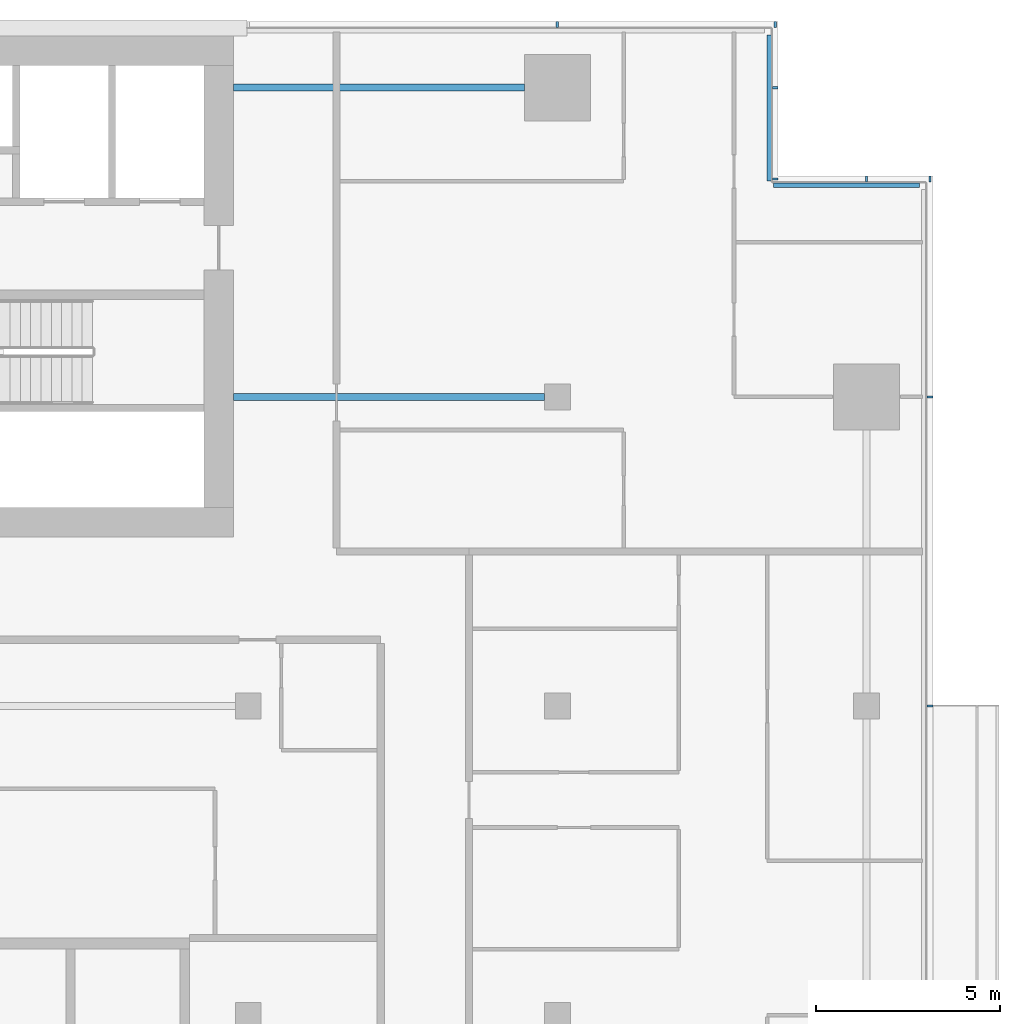
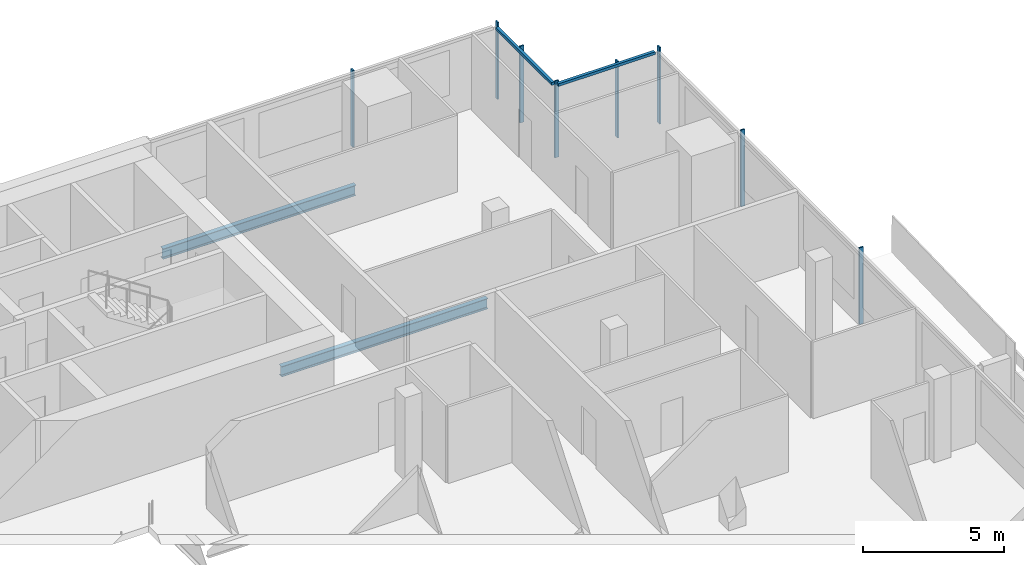
# One storey, part 13 of 27: 10 members, 2 beams, 4 elements without a shape of their own.
"""IFC4 building model written with IfcOpenShell, lengths in metres."""

from ifc_helpers import new_model, si_unit, direction, frame, origin, origin_2d, place, context, subcontext, project, spatial, rectangle, i_section, extrude, material, material_profile, profile_set, type_object, element, aggregate, save


model = new_model("IFC4")

# Units and contexts
model_context = context("Model", 3, precision=1e-05, world=origin(), true_north=direction((0.0, 1.0)))
body_context = subcontext(model_context, "Body", "Model", "MODEL_VIEW")
ifc_project = project(units=[si_unit("LENGTHUNIT", "METRE"), si_unit("AREAUNIT", "SQUARE_METRE"), si_unit("VOLUMEUNIT", "CUBIC_METRE"), si_unit("PLANEANGLEUNIT", "RADIAN"), si_unit("MASSUNIT", "GRAM", prefix="KILO")], contexts=[model_context])

# Site, building, storey
site_placement = place(None, origin())
site = spatial("IfcSite", under=ifc_project, at=site_placement, CompositionType="ELEMENT")
building_placement = place(site_placement, origin())
building = spatial("IfcBuilding", under=site, at=building_placement, Name="Saffron Gate Tower", CompositionType="ELEMENT")
storey_placement = place(building_placement, frame((0.0, 0.0, 183.449951171875)))
storey = spatial("IfcBuildingStorey", under=building, at=storey_placement, Name="L45", CompositionType="ELEMENT", Elevation=183.449951171875)

# Beams
ifc_material_1 = material(Name="Structural steel S355", Category="steel")
ifc_material_profile_1 = material_profile(ifc_material_1, i_section(OverallWidth=0.18994140625, OverallDepth=0.449951171875, WebThickness=0.009521484375, FlangeThickness=0.0146484375, FilletRadius=0.02099609375, at=origin_2d()))
ifc_profile_set_1 = profile_set([ifc_material_profile_1], Name="Structural steel S355")
beam_type = type_object("IfcBeamType", Name="B6 IPE 450", PredefinedType="BEAM", material=ifc_profile_set_1)
beam_1_placement = place(storey_placement, frame((116.64990234375, 65.39990234375, -0.5048828125), z_axis=(-1.0, 0.0, 0.0), x_axis=(0.0, -1.0, 0.0)))
element("IfcBeam", 1, at=beam_1_placement, inside=storey, type_object=beam_type, Name="B6 CORE TIE BEAM", PredefinedType="BEAM", context=body_context, shape_type="SweptSolid", body=[
    extrude(i_section(OverallWidth=0.18994140625, OverallDepth=0.449951171875, WebThickness=0.009521484375, FlangeThickness=0.0146484375, FilletRadius=0.02099609375, at=origin_2d()), origin(), (0.0, 0.0, 1.0), 8.449951171875),
])
beam_2_placement = place(storey_placement, frame((116.10009765625, 73.800048828125, -0.5048828125), z_axis=(-1.0, 0.0, 0.0), x_axis=(0.0, -1.0, 0.0)))
element("IfcBeam", 2, at=beam_2_placement, inside=storey, type_object=beam_type, Name="B6 CORE TIE BEAM", PredefinedType="BEAM", context=body_context, shape_type="SweptSolid", body=[
    extrude(i_section(OverallWidth=0.18994140625, OverallDepth=0.449951171875, WebThickness=0.009521484375, FlangeThickness=0.0146484375, FilletRadius=0.02099609375, at=origin_2d()), origin(), (0.0, 0.0, 1.0), 7.900146484375),
])

# Curtain wall, members
ifc_material_2 = material(Name="Aluminium, bronze anodised", Category="aluminium")
curtain_wall_type_1 = type_object("IfcCurtainWallType", Name="CWS2 curtain wall side facades", PredefinedType="NOTDEFINED", material=ifc_material_2)
curtain_wall_1_placement = place(storey_placement, origin())
curtain_wall_1 = element("IfcCurtainWall", 3, at=curtain_wall_1_placement, inside=storey, type_object=curtain_wall_type_1, Name="CWS2 run 4", PredefinedType="NOTDEFINED")
ifc_material_profile_2 = material_profile(ifc_material_2, rectangle(XDim=0.159912109375, YDim=0.06005859375, at=origin_2d()))
ifc_profile_set_2 = profile_set([ifc_material_profile_2], Name="Aluminium, bronze anodised")
member_type_1 = type_object("IfcMemberType", Name="CWS2 mullion 60x160", PredefinedType="MULLION", material=ifc_profile_set_2)
member_1_placement = place(storey_placement, frame((127.1201171875, 57.0, 0.0), z_axis=(0.0, 0.0, 1.0), x_axis=(-1.0, 0.0, 0.0)))
member_1 = element("IfcMember", 4, at=member_1_placement, type_object=member_type_1, Name="CWS2 mullion 4", PredefinedType="MULLION", context=body_context, shape_type="SweptSolid", body=[
    extrude(rectangle(XDim=0.159912109375, YDim=0.06005859375, at=origin_2d()), origin(), (0.0, 0.0, 1.0), 3.320068359375),
])
member_2_placement = place(storey_placement, frame((127.1201171875, 65.39990234375, 0.0), z_axis=(0.0, 0.0, 1.0), x_axis=(-1.0, 0.0, 0.0)))
member_2 = element("IfcMember", 5, at=member_2_placement, type_object=member_type_1, Name="CWS2 mullion 5", PredefinedType="MULLION", context=body_context, shape_type="SweptSolid", body=[
    extrude(rectangle(XDim=0.159912109375, YDim=0.06005859375, at=origin_2d()), origin(), (0.0, 0.0, 1.0), 3.320068359375),
])
aggregate(curtain_wall_1, [member_1, member_2])

curtain_wall_type_2 = type_object("IfcCurtainWallType", Name="CWS3 curtain wall rear facade", PredefinedType="NOTDEFINED", material=ifc_material_2)
curtain_wall_2_placement = place(storey_placement, origin())
curtain_wall_2 = element("IfcCurtainWall", 6, at=curtain_wall_2_placement, inside=storey, type_object=curtain_wall_type_2, Name="CWS3 run 7", PredefinedType="NOTDEFINED")
ifc_material_profile_3 = material_profile(ifc_material_2, rectangle(XDim=0.159912109375, YDim=0.070068359375, at=origin_2d()))
ifc_profile_set_3 = profile_set([ifc_material_profile_3], Name="Aluminium, bronze anodised")
member_type_2 = type_object("IfcMemberType", Name="CWS3 mullion 70x160", PredefinedType="MULLION", material=ifc_profile_set_3)
member_3_placement = place(storey_placement, frame((122.919921875, 75.52001953125, 0.0), z_axis=(0.0, 0.0, 1.0), x_axis=(0.0, -1.0, 0.0)))
member_3 = element("IfcMember", 7, at=member_3_placement, type_object=member_type_2, Name="CWS3 mullion 1", PredefinedType="MULLION", context=body_context, shape_type="SweptSolid", body=[
    extrude(rectangle(XDim=0.159912109375, YDim=0.070068359375, at=origin_2d()), origin(), (0.0, 0.0, 1.0), 3.320068359375),
])
member_4_placement = place(storey_placement, frame((117.0, 75.52001953125, 0.0), z_axis=(0.0, 0.0, 1.0), x_axis=(0.0, -1.0, 0.0)))
member_4 = element("IfcMember", 8, at=member_4_placement, type_object=member_type_2, Name="CWS3 mullion 2", PredefinedType="MULLION", context=body_context, shape_type="SweptSolid", body=[
    extrude(rectangle(XDim=0.159912109375, YDim=0.070068359375, at=origin_2d()), origin(), (0.0, 0.0, 1.0), 3.320068359375),
])
aggregate(curtain_wall_2, [member_3, member_4])

# Curtain wall, member
curtain_wall_type_3 = type_object("IfcCurtainWallType", Name="CWS4 curtain wall corner returns", PredefinedType="NOTDEFINED", material=ifc_material_2)
curtain_wall_3_placement = place(storey_placement, origin())
curtain_wall_3 = element("IfcCurtainWall", 9, at=curtain_wall_3_placement, inside=storey, type_object=curtain_wall_type_3, Name="CWS4 run 5", PredefinedType="NOTDEFINED")
ifc_material_profile_4 = material_profile(ifc_material_2, rectangle(XDim=0.1201171875, YDim=0.1201171875, at=origin_2d()))
ifc_profile_set_4 = profile_set([ifc_material_profile_4], Name="Aluminium, bronze anodised")
member_type_3 = type_object("IfcMemberType", Name="CWS4 head transom", PredefinedType="USERDEFINED", material=ifc_profile_set_4)
member_5_placement = place(storey_placement, frame((126.83203125, 71.152099609375, 3.260009765625), z_axis=(-1.0, 0.0, 0.0), x_axis=(0.0, -1.0, 0.0)))
member_5 = element("IfcMember", 10, at=member_5_placement, type_object=member_type_3, Name="CWS4 head transom", ObjectType="TRANSOM", PredefinedType="USERDEFINED", context=body_context, shape_type="SweptSolid", body=[
    extrude(rectangle(XDim=0.1201171875, YDim=0.1201171875, at=origin_2d()), origin(), (0.0, 0.0, 1.0), 3.9599609375),
])

curtain_wall_4_placement = place(storey_placement, origin())
curtain_wall_4 = element("IfcCurtainWall", 11, at=curtain_wall_4_placement, inside=storey, type_object=curtain_wall_type_3, Name="CWS4 run 6", PredefinedType="NOTDEFINED")
member_6_placement = place(storey_placement, frame((122.751953125, 71.27197265625, 3.260009765625), z_axis=(0.0, 1.0, 0.0), x_axis=(-1.0, 0.0, 0.0)))
member_6 = element("IfcMember", 12, at=member_6_placement, type_object=member_type_3, Name="CWS4 head transom", ObjectType="TRANSOM", PredefinedType="USERDEFINED", context=body_context, shape_type="SweptSolid", body=[
    extrude(rectangle(XDim=0.1201171875, YDim=0.1201171875, at=origin_2d()), origin(), (0.0, 0.0, 1.0), 3.9599609375),
])

# Member
ifc_material_profile_5 = material_profile(ifc_material_2, rectangle(XDim=0.159912109375, YDim=0.06005859375, at=origin_2d()))
ifc_profile_set_5 = profile_set([ifc_material_profile_5], Name="Aluminium, bronze anodised")
member_type_4 = type_object("IfcMemberType", Name="CWS4 mullion 60x160", PredefinedType="MULLION", material=ifc_profile_set_5)
member_7_placement = place(storey_placement, frame((127.1201171875, 71.320068359375, 0.0), z_axis=(0.0, 0.0, 1.0), x_axis=(0.0, -1.0, 0.0)))
member_7 = element("IfcMember", 13, at=member_7_placement, type_object=member_type_4, Name="CWS4 mullion 1", PredefinedType="MULLION", context=body_context, shape_type="SweptSolid", body=[
    extrude(rectangle(XDim=0.159912109375, YDim=0.06005859375, at=origin_2d()), origin(), (0.0, 0.0, 1.0), 3.320068359375),
])

member_8_placement = place(storey_placement, frame((125.39990234375, 71.320068359375, 0.0), z_axis=(0.0, 0.0, 1.0), x_axis=(0.0, -1.0, 0.0)))
member_8 = element("IfcMember", 14, at=member_8_placement, type_object=member_type_4, Name="CWS4 mullion 2", PredefinedType="MULLION", context=body_context, shape_type="SweptSolid", body=[
    extrude(rectangle(XDim=0.159912109375, YDim=0.06005859375, at=origin_2d()), origin(), (0.0, 0.0, 1.0), 3.320068359375),
])

aggregate(curtain_wall_3, [member_7, member_8, member_5])

member_9_placement = place(storey_placement, frame((122.919921875, 71.320068359375, 0.0), z_axis=(0.0, 0.0, 1.0), x_axis=(-1.0, 0.0, 0.0)))
member_9 = element("IfcMember", 15, at=member_9_placement, type_object=member_type_4, Name="CWS4 mullion 1", PredefinedType="MULLION", context=body_context, shape_type="SweptSolid", body=[
    extrude(rectangle(XDim=0.159912109375, YDim=0.06005859375, at=origin_2d()), origin(), (0.0, 0.0, 1.0), 3.320068359375),
])

member_10_placement = place(storey_placement, frame((122.919921875, 73.800048828125, 0.0), z_axis=(0.0, 0.0, 1.0), x_axis=(-1.0, 0.0, 0.0)))
member_10 = element("IfcMember", 16, at=member_10_placement, type_object=member_type_4, Name="CWS4 mullion 2", PredefinedType="MULLION", context=body_context, shape_type="SweptSolid", body=[
    extrude(rectangle(XDim=0.159912109375, YDim=0.06005859375, at=origin_2d()), origin(), (0.0, 0.0, 1.0), 3.320068359375),
])

aggregate(curtain_wall_4, [member_9, member_10, member_6])

save(model, "model.ifc")
